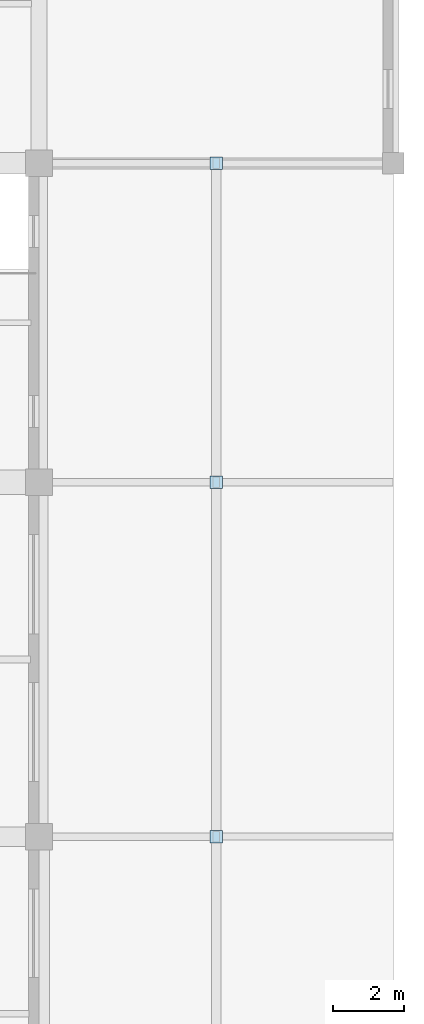
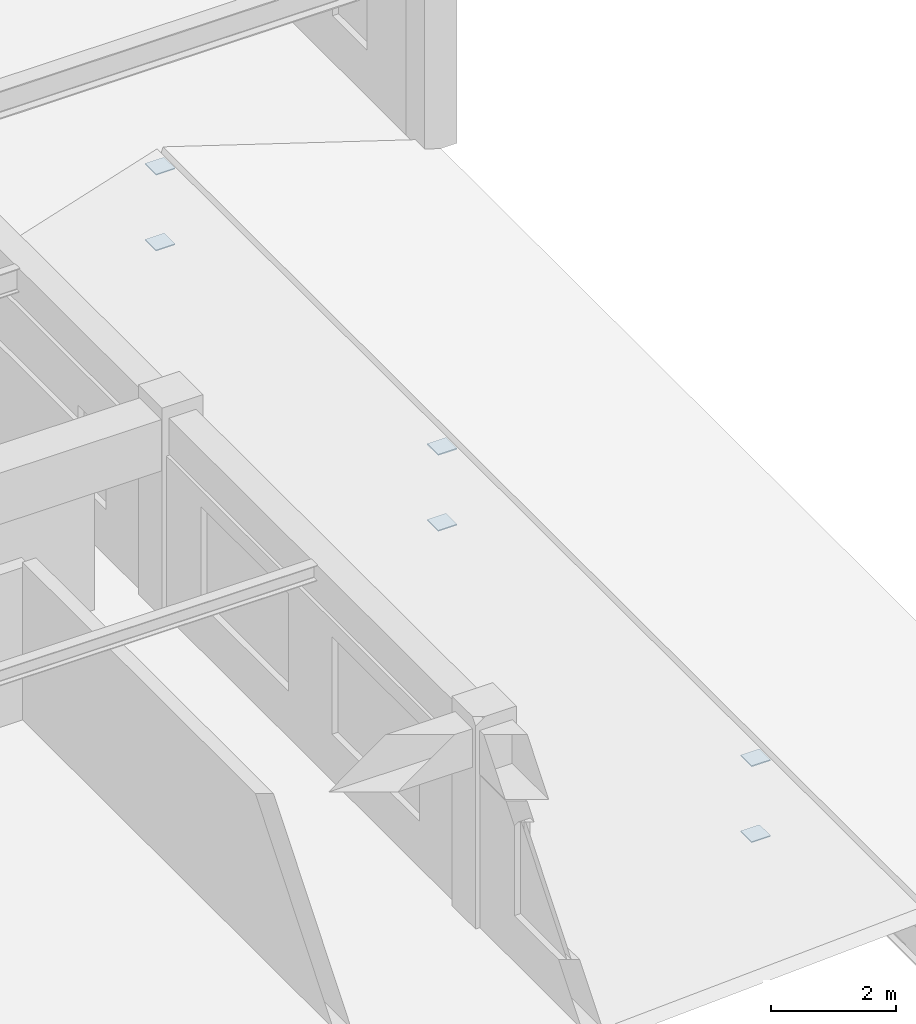
# One storey, part 106 of 130: 6 plates.
"""IFC4 building model written with IfcOpenShell, lengths in metres."""

import ifcopenshell
import ifcopenshell.guid

model = None  # the IFC model being written
_history = None  # IfcOwnerHistory: only IFC2X3 demands one
_inside = {}  # id of a spatial element -> (the spatial element, [elements in it])
_under = {}  # id of a project, library or spatial element -> (it, [spatial elements below it])
_declared = {}  # id of a project -> (the project, [libraries it declares])
_typed = {}  # id of a type object -> (the type object, [elements of that type])
_made_of = {}  # id of a material, layer set ... -> (it, [elements and type objects made of it])


def new_model(schema):
    """Start an empty IFC model of exactly this schema.

    Asked for "IFC4X3", IfcOpenShell would pick the latest addendum, in which some entities
    have other attributes; the version numbers below select the first issue.
    IFC2X3 requires an IfcOwnerHistory on every rooted entity: one is made here for all.
    """
    global model, _history
    if schema == "IFC4X3":
        model = ifcopenshell.file(schema_version=(4, 3, 0, 0))
    else:
        model = ifcopenshell.file(schema=schema)
    _inside.clear()
    _under.clear()
    _declared.clear()
    _typed.clear()
    _made_of.clear()
    _history = None
    if model.schema == "IFC2X3":
        org = make("IfcOrganization", Name="unknown")
        user = make(
            "IfcPersonAndOrganization",
            ThePerson=make("IfcPerson", FamilyName="unknown"),
            TheOrganization=org,
        )
        app = make(
            "IfcApplication",
            ApplicationDeveloper=org,
            Version="unknown",
            ApplicationFullName="unknown",
            ApplicationIdentifier="unknown",
        )
        _history = make(
            "IfcOwnerHistory",
            OwningUser=user,
            OwningApplication=app,
            ChangeAction="ADDED",
            CreationDate=0,
        )
    return model


def make(cls, **values):
    """One entity of the class cls with the attributes given. An attribute that is None is left unset."""
    return model.create_entity(
        cls, **{name: value for name, value in values.items() if value is not None}
    )


def rooted(cls, **values):
    """An entity with a GlobalId (a new one), such as an element, a storey or a relation."""
    return make(cls, GlobalId=ifcopenshell.guid.new(), OwnerHistory=_history, **values)


def si_unit(unit_type, name, prefix=None):
    """IfcSIUnit, for example si_unit("LENGTHUNIT", "METRE", prefix="MILLI")."""
    return make("IfcSIUnit", UnitType=unit_type, Prefix=prefix, Name=name)


def assignment(units):
    """IfcUnitAssignment: the units of a project."""
    return None if units is None else make("IfcUnitAssignment", Units=units)


def point(xyz):
    """IfcCartesianPoint."""
    return None if xyz is None else make("IfcCartesianPoint", Coordinates=xyz)


def direction(xyz):
    """IfcDirection."""
    return None if xyz is None else make("IfcDirection", DirectionRatios=xyz)


def frame(location, z_axis=None, x_axis=None):
    """IfcAxis2Placement3D, a coordinate frame: its origin and axes. An axis left out is left unset."""
    return make(
        "IfcAxis2Placement3D",
        Location=point(location),
        Axis=direction(z_axis),
        RefDirection=direction(x_axis),
    )


def frame_2d(location, x_axis=None):
    """IfcAxis2Placement2D, a coordinate frame in the plane: its origin and x axis."""
    return make(
        "IfcAxis2Placement2D", Location=point(location), RefDirection=direction(x_axis)
    )


def origin():
    """The frame at (0, 0, 0) with its axes left unset."""
    return frame((0.0, 0.0, 0.0))


def origin_2d():
    """The frame at (0, 0) in the plane with its x axis left unset."""
    return frame_2d((0.0, 0.0))


def place(relative_to, where):
    """IfcLocalPlacement: puts the frame where relative to a parent placement (None: the world)."""
    return make(
        "IfcLocalPlacement", PlacementRelTo=relative_to, RelativePlacement=where
    )


def context(
    kind, dimensions, precision=None, world=None, true_north=None, identifier=None
):
    """IfcGeometricRepresentationContext, for example the 3D "Model" context."""
    return make(
        "IfcGeometricRepresentationContext",
        ContextIdentifier=identifier,
        ContextType=kind,
        CoordinateSpaceDimension=dimensions,
        Precision=precision,
        WorldCoordinateSystem=world,
        TrueNorth=true_north,
    )


def subcontext(parent, identifier, kind, view, scale=None):
    """IfcGeometricRepresentationSubContext, for example "Body" below "Model"."""
    return make(
        "IfcGeometricRepresentationSubContext",
        ContextIdentifier=identifier,
        ContextType=kind,
        ParentContext=parent,
        TargetScale=scale,
        TargetView=view,
    )


def project(units=None, contexts=None):
    """IfcProject with its units and contexts."""
    return rooted(
        "IfcProject",
        Name="project",
        RepresentationContexts=contexts,
        UnitsInContext=assignment(units),
    )


def spatial(cls, under=None, at=None, **own):
    """A site, building, storey or space (cls), placed at a placement, below another one or the project."""
    s = rooted(cls, ObjectPlacement=at, **own)
    if under is not None:
        _under.setdefault(under.id(), (under, []))[1].append(s)
    return s


def profile(cls, at=None, kind="AREA", **sizes):
    """A parametric profile (cls). Its sizes go by their IFC names, for example OverallWidth=200.0."""
    return make(cls, ProfileType=kind, Position=at, **sizes)


def rectangle(**sizes):
    """IfcRectangleProfileDef."""
    return profile("IfcRectangleProfileDef", **sizes)


def extrude(swept, where, along, depth):
    """IfcExtrudedAreaSolid: the profile swept, set in the frame where, extruded along a direction by depth."""
    return make(
        "IfcExtrudedAreaSolid",
        SweptArea=swept,
        Position=where,
        ExtrudedDirection=direction(along),
        Depth=depth,
    )


def shape(context_of_items, identifier, shape_type, items):
    """IfcShapeRepresentation: the items that make up one representation, for example the "Body"."""
    return make(
        "IfcShapeRepresentation",
        ContextOfItems=context_of_items,
        RepresentationIdentifier=identifier,
        RepresentationType=shape_type,
        Items=items,
    )


def material(Name=None, Category=None):
    """IfcMaterial."""
    return make("IfcMaterial", Name=Name, Category=Category)


def layer(
    of_material, thickness, ventilated=None, Name=None, Category=None, Priority=None
):
    """IfcMaterialLayer: one layer of a wall or slab, of a material (None: an air gap)."""
    return make(
        "IfcMaterialLayer",
        Material=of_material,
        LayerThickness=thickness,
        IsVentilated=ventilated,
        Name=Name,
        Category=Category,
        Priority=Priority,
    )


def layer_set(layers, Name=None):
    """IfcMaterialLayerSet."""
    return make("IfcMaterialLayerSet", MaterialLayers=layers, LayerSetName=Name)


def made_of(thing, what):
    """Note that an element or type object is made of a material, layer set ...; save() writes the relation."""
    if what is not None:
        _made_of.setdefault(what.id(), (what, []))[1].append(thing)
    return thing


def type_object(cls, material=None, **own):
    """A type object (cls), such as IfcWallType, which elements share."""
    return made_of(rooted(cls, **own), material)


def element(
    cls,
    number,
    at=None,
    inside=None,
    cuts=None,
    type_object=None,
    material=None,
    context=None,
    identifier="Body",
    shape_type=None,
    held_by="IfcProductDefinitionShape",
    body=None,
    shapes=None,
    **own,
):
    """One element of the class cls, such as IfcWall. Its Tag is "e" and its number.

    at: its placement. inside: the storey or other place that contains it. cuts: it is an
    opening in that element (IfcRelVoidsElement). A single representation is given by context,
    identifier, shape_type and body (its items); several are given by shapes. held_by: the class
    of the entity that holds the representations. save() writes the other relations.
    """
    e = rooted(cls, Tag="e%d" % number, ObjectPlacement=at, **own)
    if body is not None:
        shapes = [shape(context, identifier, shape_type, body)]
    if shapes is not None:
        e.Representation = make(held_by, Representations=shapes)
    if inside is not None:
        _inside.setdefault(inside.id(), (inside, []))[1].append(e)
    if cuts is not None:
        rooted(
            "IfcRelVoidsElement", RelatingBuildingElement=cuts, RelatedOpeningElement=e
        )
    if type_object is not None:
        _typed.setdefault(type_object.id(), (type_object, []))[1].append(e)
    return made_of(e, material)


def aggregate(whole, parts):
    """IfcRelAggregates: a whole, such as a stair, and the parts it consists of."""
    return rooted("IfcRelAggregates", RelatingObject=whole, RelatedObjects=parts)


def save(model, path):
    """Write the relations noted so far, then the file.

    IfcRelAggregates (storeys below a building ...), IfcRelContainedInSpatialStructure (elements
    in a storey), IfcRelDefinesByType, IfcRelAssociatesMaterial and IfcRelDeclares: one each for
    every whole, place, type object, material and project.
    """
    for whole, parts in _under.values():
        aggregate(whole, parts)
    for where, things in _inside.values():
        rooted(
            "IfcRelContainedInSpatialStructure",
            RelatedElements=things,
            RelatingStructure=where,
        )
    for kind, things in _typed.values():
        rooted("IfcRelDefinesByType", RelatedObjects=things, RelatingType=kind)
    for what, things in _made_of.values():
        rooted("IfcRelAssociatesMaterial", RelatedObjects=things, RelatingMaterial=what)
    for by, libraries in _declared.values():
        rooted("IfcRelDeclares", RelatingContext=by, RelatedDefinitions=libraries)
    model.write(path)


model = new_model("IFC4")

# Units and contexts
model_context = context("Model", 3, precision=1e-05, world=origin(), true_north=direction((0.0, 1.0)))
body_context = subcontext(model_context, "Body", "Model", "MODEL_VIEW")
ifc_project = project(units=[si_unit("LENGTHUNIT", "METRE"), si_unit("AREAUNIT", "SQUARE_METRE"), si_unit("VOLUMEUNIT", "CUBIC_METRE"), si_unit("PLANEANGLEUNIT", "RADIAN"), si_unit("MASSUNIT", "GRAM", prefix="KILO")], contexts=[model_context])

# Site, building, storey
site_placement = place(None, origin())
site = spatial("IfcSite", under=ifc_project, at=site_placement, CompositionType="ELEMENT")
building_placement = place(site_placement, origin())
building = spatial("IfcBuilding", under=site, at=building_placement, Name="Miravela Opera House", CompositionType="ELEMENT")
storey_placement = place(building_placement, frame((0.0, 0.0, 9.52001953125)))
storey = spatial("IfcBuildingStorey", under=building, at=storey_placement, Name="L02", CompositionType="ELEMENT", Elevation=9.52001953125)

# Plates
ifc_material = material(Name="Structural steel ASTM A572 Gr. 50", Category="steel")
ifc_layer = layer(ifc_material, 0.02001953125)
ifc_layer_set = layer_set([ifc_layer])
plate_type = type_object("IfcPlateType", Name="STR-PL-CAP-350X350X20", PredefinedType="SHEET", material=ifc_layer_set)
for number, where, z_axis, x_axis, name in (
    (1, (159.0, 56.0, -0.263916015625), (0.0, 0.0, 1.0), (1.0, 0.0, 0.0), "HSS Welded End Cap Plate 106"),
    (2, (159.0, 56.0, 1.2138671875), (0.0, 0.0, 1.0), (1.0, 0.0, 0.0), "HSS Welded End Cap Plate 107"),
    (3, (159.0, 66.0, -0.263916015625), (0.0, 0.0, 1.0), (1.0, 0.0, 0.0), "HSS Welded End Cap Plate 108"),
    (4, (159.0, 66.0, 1.2138671875), (0.0, 0.0, 1.0), (1.0, 0.0, 0.0), "HSS Welded End Cap Plate 109"),
    (5, (159.0, 75.0, -0.263916015625), (0.0, 0.0, 1.0), (1.0, 0.0, 0.0), "HSS Welded End Cap Plate 110"),
    (6, (159.0, 75.0, 1.2138671875), (0.0, 0.0, 1.0), (1.0, 0.0, 0.0), "HSS Welded End Cap Plate 111"),
):
    element("IfcPlate", number, at=place(storey_placement, frame(where, z_axis=z_axis, x_axis=x_axis)), inside=storey, type_object=plate_type, Name=name, PredefinedType="SHEET", context=body_context, shape_type="SweptSolid", body=[
        extrude(rectangle(XDim=0.35009765625, YDim=0.35009765625, at=origin_2d()), origin(), (0.0, 0.0, 1.0), 0.02001953125),
    ])

save(model, "model.ifc")
